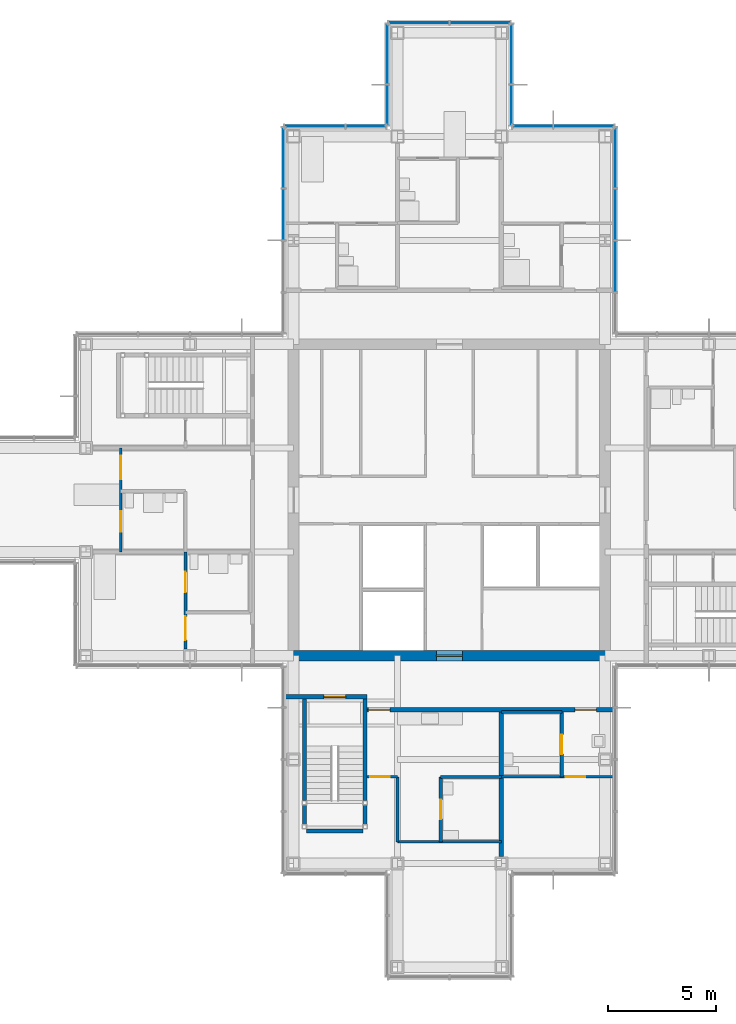
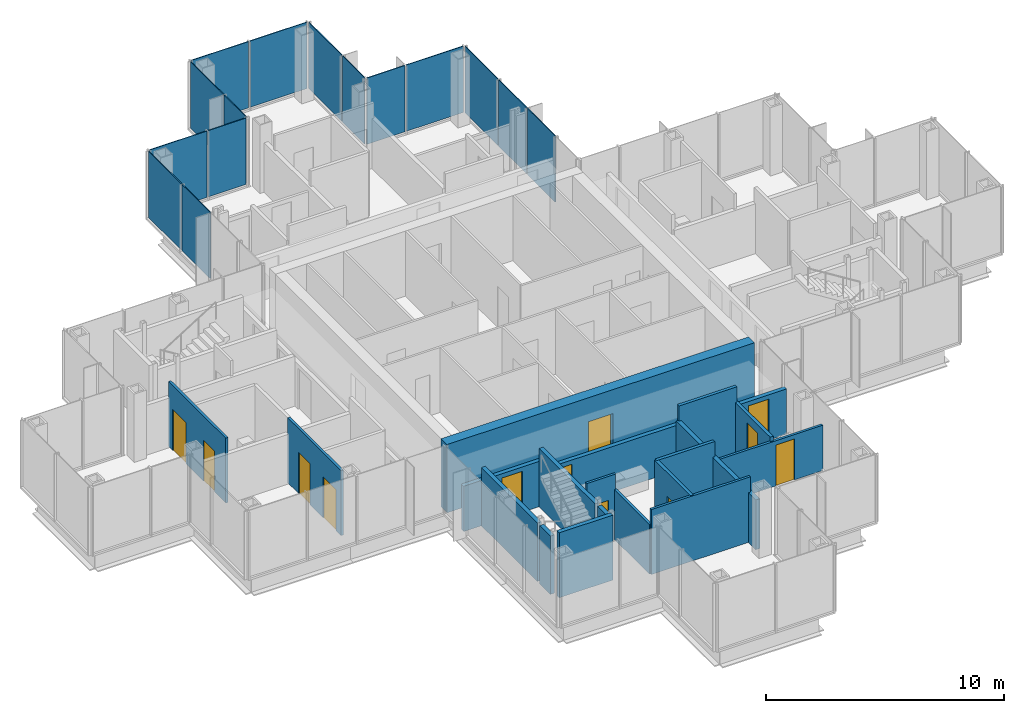
# One storey, part 11 of 17: 19 walls, 15 plates, 12 doors, 12 openings, 7 elements without a shape of their own.
"""IFC4 building model written with IfcOpenShell, lengths in metres."""

from ifc_helpers import new_model, si_unit, direction, frame, frame_2d, origin, origin_2d, place, context, subcontext, project, spatial, rectangle, extrude, material, layer, layer_set, type_object, element, fill, aggregate, save


model = new_model("IFC4")

# Units and contexts
model_context = context("Model", 3, precision=1e-05, world=origin(), true_north=direction((0.0, 1.0)))
body_context = subcontext(model_context, "Body", "Model", "MODEL_VIEW")
ifc_project = project(units=[si_unit("LENGTHUNIT", "METRE"), si_unit("AREAUNIT", "SQUARE_METRE"), si_unit("VOLUMEUNIT", "CUBIC_METRE"), si_unit("PLANEANGLEUNIT", "RADIAN"), si_unit("MASSUNIT", "GRAM", prefix="KILO")], contexts=[model_context])

# Site, building, storey
site_placement = place(None, origin())
site = spatial("IfcSite", under=ifc_project, at=site_placement, CompositionType="ELEMENT")
building_placement = place(site_placement, origin())
building = spatial("IfcBuilding", under=site, at=building_placement, Name="Kvirike Care Tower", CompositionType="ELEMENT")
storey_placement = place(building_placement, frame((0.0, 0.0, 148.0)))
storey = spatial("IfcBuildingStorey", under=building, at=storey_placement, Name="L40", CompositionType="ELEMENT", Elevation=148.0)

# Curtain wall, plates
ifc_material_1 = material(Name="Anodised aluminium stick system", Category="aluminium")
curtain_wall_type = type_object("IfcCurtainWallType", Name="CW-C STICK CURTAIN WALL", PredefinedType="NOTDEFINED", material=ifc_material_1)
curtain_wall_1_placement = place(storey_placement, origin())
curtain_wall_1 = element("IfcCurtainWall", 1, at=curtain_wall_1_placement, inside=storey, type_object=curtain_wall_type, Name="Curtain wall L40 face 8", PredefinedType="NOTDEFINED")
ifc_material_2 = material(Name="Tinted double glazed unit", Category="glass")
ifc_layer_1 = layer(ifc_material_2, 0.0400390625)
ifc_layer_set_1 = layer_set([ifc_layer_1], Name="TINTED VISION PANEL 40")
plate_type = type_object("IfcPlateType", Name="TINTED VISION PANEL 40", PredefinedType="CURTAIN_PANEL", material=ifc_layer_set_1)
plate_1_placement = place(storey_placement, frame((29.27001953125, 46.800048828125, 0.10009765625), z_axis=(0.0, 0.0, 1.0), x_axis=(0.0, 1.0, 0.0)))
plate_1 = element("IfcPlate", 2, at=plate_1_placement, type_object=plate_type, Name="CW-C panel L40 face 8.2", PredefinedType="CURTAIN_PANEL", context=body_context, shape_type="SweptSolid", body=[
    extrude(rectangle(XDim=2.3349609375, YDim=0.0400390625, at=origin_2d()), origin(), (0.0, 0.0, 1.0), 3.39990234375),
])
plate_2_placement = place(storey_placement, frame((29.27001953125, 49.199951171875, 0.10009765625), z_axis=(0.0, 0.0, 1.0), x_axis=(0.0, 1.0, 0.0)))
plate_2 = element("IfcPlate", 3, at=plate_2_placement, type_object=plate_type, Name="CW-C panel L40 face 8.3", PredefinedType="CURTAIN_PANEL", context=body_context, shape_type="SweptSolid", body=[
    extrude(rectangle(XDim=2.3349609375, YDim=0.0400390625, at=origin_2d()), origin(), (0.0, 0.0, 1.0), 3.39990234375),
])
plate_3_placement = place(storey_placement, frame((29.27001953125, 51.81884765625, 0.10009765625), z_axis=(0.0, 0.0, 1.0), x_axis=(0.0, 1.0, 0.0)))
plate_3 = element("IfcPlate", 4, at=plate_3_placement, type_object=plate_type, Name="CW-C panel L40 face 8.4", PredefinedType="CURTAIN_PANEL", context=body_context, shape_type="SweptSolid", body=[
    extrude(rectangle(XDim=2.7724609375, YDim=0.0400390625, at=origin_2d()), origin(), (0.0, 0.0, 1.0), 3.39990234375),
])
aggregate(curtain_wall_1, [plate_1, plate_2, plate_3])

curtain_wall_2_placement = place(storey_placement, origin())
curtain_wall_2 = element("IfcCurtainWall", 5, at=curtain_wall_2_placement, inside=storey, type_object=curtain_wall_type, Name="Curtain wall L40 face 9", PredefinedType="NOTDEFINED")
plate_4_placement = place(storey_placement, frame((27.81884765625, 53.27001953125, 0.10009765625), z_axis=(0.0, 0.0, 1.0), x_axis=(-1.0, 0.0, 0.0)))
plate_4 = element("IfcPlate", 6, at=plate_4_placement, type_object=plate_type, Name="CW-C panel L40 face 9.1", PredefinedType="CURTAIN_PANEL", context=body_context, shape_type="SweptSolid", body=[
    extrude(rectangle(XDim=2.7724609375, YDim=0.0400390625, at=origin_2d()), origin(), (0.0, 0.0, 1.0), 3.39990234375),
])
plate_5_placement = place(storey_placement, frame((25.451171875, 53.27001953125, 0.10009765625), z_axis=(0.0, 0.0, 1.0), x_axis=(-1.0, 0.0, 0.0)))
plate_5 = element("IfcPlate", 7, at=plate_5_placement, type_object=plate_type, Name="CW-C panel L40 face 9.2", PredefinedType="CURTAIN_PANEL", context=body_context, shape_type="SweptSolid", body=[
    extrude(rectangle(XDim=1.83251953125, YDim=0.0400390625, at=origin_2d()), origin(), (0.0, 0.0, 1.0), 3.39990234375),
])
aggregate(curtain_wall_2, [plate_4, plate_5])

curtain_wall_3_placement = place(storey_placement, origin())
curtain_wall_3 = element("IfcCurtainWall", 8, at=curtain_wall_3_placement, inside=storey, type_object=curtain_wall_type, Name="Curtain wall L40 face 10", PredefinedType="NOTDEFINED")
plate_6_placement = place(storey_placement, frame((24.469970703125, 54.251220703125, 0.10009765625), z_axis=(0.0, 0.0, 1.0), x_axis=(0.0, 1.0, 0.0)))
plate_6 = element("IfcPlate", 9, at=plate_6_placement, type_object=plate_type, Name="CW-C panel L40 face 10.1", PredefinedType="CURTAIN_PANEL", context=body_context, shape_type="SweptSolid", body=[
    extrude(rectangle(XDim=1.83251953125, YDim=0.0400390625, at=origin_2d()), origin(), (0.0, 0.0, 1.0), 3.39990234375),
])
plate_7_placement = place(storey_placement, frame((24.469970703125, 56.61865234375, 0.10009765625), z_axis=(0.0, 0.0, 1.0), x_axis=(0.0, 1.0, 0.0)))
plate_7 = element("IfcPlate", 10, at=plate_7_placement, type_object=plate_type, Name="CW-C panel L40 face 10.2", PredefinedType="CURTAIN_PANEL", context=body_context, shape_type="SweptSolid", body=[
    extrude(rectangle(XDim=2.7724609375, YDim=0.0400390625, at=origin_2d()), origin(), (0.0, 0.0, 1.0), 3.39990234375),
])
aggregate(curtain_wall_3, [plate_6, plate_7])

curtain_wall_4_placement = place(storey_placement, origin())
curtain_wall_4 = element("IfcCurtainWall", 11, at=curtain_wall_4_placement, inside=storey, type_object=curtain_wall_type, Name="Curtain wall L40 face 11", PredefinedType="NOTDEFINED")
plate_8_placement = place(storey_placement, frame((23.018798828125, 58.070068359375, 0.10009765625), z_axis=(0.0, 0.0, 1.0), x_axis=(-1.0, 0.0, 0.0)))
plate_8 = element("IfcPlate", 12, at=plate_8_placement, type_object=plate_type, Name="CW-C panel L40 face 11.1", PredefinedType="CURTAIN_PANEL", context=body_context, shape_type="SweptSolid", body=[
    extrude(rectangle(XDim=2.7724609375, YDim=0.0400390625, at=origin_2d()), origin(), (0.0, 0.0, 1.0), 3.39990234375),
])
plate_9_placement = place(storey_placement, frame((20.18115234375, 58.070068359375, 0.10009765625), z_axis=(0.0, 0.0, 1.0), x_axis=(-1.0, 0.0, 0.0)))
plate_9 = element("IfcPlate", 13, at=plate_9_placement, type_object=plate_type, Name="CW-C panel L40 face 11.2", PredefinedType="CURTAIN_PANEL", context=body_context, shape_type="SweptSolid", body=[
    extrude(rectangle(XDim=2.7724609375, YDim=0.0400390625, at=origin_2d()), origin(), (0.0, 0.0, 1.0), 3.39990234375),
])
aggregate(curtain_wall_4, [plate_8, plate_9])

curtain_wall_5_placement = place(storey_placement, origin())
curtain_wall_5 = element("IfcCurtainWall", 14, at=curtain_wall_5_placement, inside=storey, type_object=curtain_wall_type, Name="Curtain wall L40 face 12", PredefinedType="NOTDEFINED")
plate_10_placement = place(storey_placement, frame((18.72998046875, 56.61865234375, 0.10009765625), z_axis=(0.0, 0.0, 1.0), x_axis=(0.0, -1.0, 0.0)))
plate_10 = element("IfcPlate", 15, at=plate_10_placement, type_object=plate_type, Name="CW-C panel L40 face 12.1", PredefinedType="CURTAIN_PANEL", context=body_context, shape_type="SweptSolid", body=[
    extrude(rectangle(XDim=2.7724609375, YDim=0.0400390625, at=origin_2d()), origin(), (0.0, 0.0, 1.0), 3.39990234375),
])
plate_11_placement = place(storey_placement, frame((18.72998046875, 54.251220703125, 0.10009765625), z_axis=(0.0, 0.0, 1.0), x_axis=(0.0, -1.0, 0.0)))
plate_11 = element("IfcPlate", 16, at=plate_11_placement, type_object=plate_type, Name="CW-C panel L40 face 12.2", PredefinedType="CURTAIN_PANEL", context=body_context, shape_type="SweptSolid", body=[
    extrude(rectangle(XDim=1.83251953125, YDim=0.0400390625, at=origin_2d()), origin(), (0.0, 0.0, 1.0), 3.39990234375),
])
aggregate(curtain_wall_5, [plate_10, plate_11])

curtain_wall_6_placement = place(storey_placement, origin())
curtain_wall_6 = element("IfcCurtainWall", 17, at=curtain_wall_6_placement, inside=storey, type_object=curtain_wall_type, Name="Curtain wall L40 face 13", PredefinedType="NOTDEFINED")
plate_12_placement = place(storey_placement, frame((17.748779296875, 53.27001953125, 0.10009765625), z_axis=(0.0, 0.0, 1.0), x_axis=(-1.0, 0.0, 0.0)))
plate_12 = element("IfcPlate", 18, at=plate_12_placement, type_object=plate_type, Name="CW-C panel L40 face 13.1", PredefinedType="CURTAIN_PANEL", context=body_context, shape_type="SweptSolid", body=[
    extrude(rectangle(XDim=1.83251953125, YDim=0.0400390625, at=origin_2d()), origin(), (0.0, 0.0, 1.0), 3.39990234375),
])
plate_13_placement = place(storey_placement, frame((15.38134765625, 53.27001953125, 0.10009765625), z_axis=(0.0, 0.0, 1.0), x_axis=(-1.0, 0.0, 0.0)))
plate_13 = element("IfcPlate", 19, at=plate_13_placement, type_object=plate_type, Name="CW-C panel L40 face 13.2", PredefinedType="CURTAIN_PANEL", context=body_context, shape_type="SweptSolid", body=[
    extrude(rectangle(XDim=2.7724609375, YDim=0.0400390625, at=origin_2d()), origin(), (0.0, 0.0, 1.0), 3.39990234375),
])
aggregate(curtain_wall_6, [plate_12, plate_13])

curtain_wall_7_placement = place(storey_placement, origin())
curtain_wall_7 = element("IfcCurtainWall", 20, at=curtain_wall_7_placement, inside=storey, type_object=curtain_wall_type, Name="Curtain wall L40 face 14", PredefinedType="NOTDEFINED")
plate_14_placement = place(storey_placement, frame((13.929931640625, 51.81884765625, 0.10009765625), z_axis=(0.0, 0.0, 1.0), x_axis=(0.0, -1.0, 0.0)))
plate_14 = element("IfcPlate", 21, at=plate_14_placement, type_object=plate_type, Name="CW-C panel L40 face 14.1", PredefinedType="CURTAIN_PANEL", context=body_context, shape_type="SweptSolid", body=[
    extrude(rectangle(XDim=2.7724609375, YDim=0.0400390625, at=origin_2d()), origin(), (0.0, 0.0, 1.0), 3.39990234375),
])
plate_15_placement = place(storey_placement, frame((13.929931640625, 49.199951171875, 0.10009765625), z_axis=(0.0, 0.0, 1.0), x_axis=(0.0, -1.0, 0.0)))
plate_15 = element("IfcPlate", 22, at=plate_15_placement, type_object=plate_type, Name="CW-C panel L40 face 14.2", PredefinedType="CURTAIN_PANEL", context=body_context, shape_type="SweptSolid", body=[
    extrude(rectangle(XDim=2.3349609375, YDim=0.0400390625, at=origin_2d()), origin(), (0.0, 0.0, 1.0), 3.39990234375),
])
aggregate(curtain_wall_7, [plate_14, plate_15])

# Wall, opening, door
ifc_material_3 = material(Name="Moisture-resistant board partition", Category="gypsum")
ifc_layer_2 = layer(ifc_material_3, 0.14990234375)
ifc_layer_set_2 = layer_set([ifc_layer_2], Name="BATHROOM WALL 150")
wall_type_1 = type_object("IfcWallType", Name="BATHROOM WALL 150", PredefinedType="PARTITIONING", material=ifc_layer_set_2)
wall_1_placement = place(storey_placement, frame((21.199951171875, 20.199951171875, 0.0), z_axis=(0.0, 0.0, 1.0), x_axis=(0.0, 1.0, 0.0)))
wall_1 = element("IfcWall", 23, at=wall_1_placement, inside=storey, type_object=wall_type_1, Name="Bathroom Wall 150 L40", PredefinedType="PARTITIONING", context=body_context, shape_type="SweptSolid", body=[
    extrude(rectangle(XDim=3.0, YDim=0.14990234375, at=frame_2d((1.5, 0.0))), origin(), (0.0, 0.0, 1.0), 3.330078125),
])
opening_1_placement = place(wall_1_placement, frame((1.050048828125, 0.0, 0.0)))
opening_1 = element("IfcOpeningElement", 24, at=opening_1_placement, cuts=wall_1, Name="Opening 40-011", PredefinedType="OPENING", context=body_context, shape_type="SweptSolid", body=[
    extrude(rectangle(XDim=0.89990234375, YDim=2.10009765625, at=frame_2d((0.449951171875, 1.050048828125))), frame((0.0, 0.08544921875, 0.0), z_axis=(0.0, -1.0, 0.0), x_axis=(1.0, 0.0, 0.0)), (0.0, 0.0, 1.0), 0.1708984375),
])
ifc_material_4 = material(Name="Timber door set", Category="wood")
door_type_1 = type_object("IfcDoorType", Name="BATHROOM DOOR 900", OperationType="SINGLE_SWING_RIGHT", PredefinedType="DOOR", material=ifc_material_4)
door_1_placement = place(opening_1_placement, frame((0.89990234375, 0.0, 0.0), z_axis=(0.0, 0.0, 1.0), x_axis=(-1.0, 0.0, 0.0)))
door_1 = element("IfcDoor", 25, at=door_1_placement, inside=storey, type_object=door_type_1, Name="Accessible WC door", OperationType="SINGLE_SWING_RIGHT", OverallHeight=2.10009765625, OverallWidth=0.89990234375, PredefinedType="DOOR", context=body_context, shape_type="SweptSolid", body=[
    extrude(rectangle(XDim=0.89990234375, YDim=2.10009765625, at=frame_2d((0.449951171875, 1.050048828125))), frame((0.0, 0.02197265625, 0.0), z_axis=(0.0, -1.0, 0.0), x_axis=(1.0, 0.0, 0.0)), (0.0, 0.0, 1.0), 0.0439453125),
])
fill(opening_1, door_1)

# Wall
wall_2_placement = place(storey_placement, frame((21.199951171875, 23.199951171875, 0.0), z_axis=(0.0, 0.0, 1.0), x_axis=(1.0, 0.0, 0.0)))
element("IfcWall", 26, at=wall_2_placement, inside=storey, type_object=wall_type_1, Name="Bathroom Wall 150 L40", PredefinedType="PARTITIONING", context=body_context, shape_type="SweptSolid", body=[
    extrude(rectangle(XDim=2.800048828125, YDim=0.14990234375, at=frame_2d((1.39990234375, 0.0))), origin(), (0.0, 0.0, 1.0), 3.330078125),
])

# Wall, opening, door
wall_3_placement = place(storey_placement, frame((26.800048828125, 23.199951171875, 0.0), z_axis=(0.0, 0.0, 1.0), x_axis=(0.0, 1.0, 0.0)))
wall_3 = element("IfcWall", 27, at=wall_3_placement, inside=storey, type_object=wall_type_1, Name="Bathroom Wall 150 L40", PredefinedType="PARTITIONING", context=body_context, shape_type="SweptSolid", body=[
    extrude(rectangle(XDim=3.0, YDim=0.14990234375, at=frame_2d((1.5, 0.0))), origin(), (0.0, 0.0, 1.0), 2.550048828125),
])
opening_2_placement = place(wall_3_placement, frame((1.050048828125, 0.0, 0.0)))
opening_2 = element("IfcOpeningElement", 28, at=opening_2_placement, cuts=wall_3, Name="Opening 40-013", PredefinedType="OPENING", context=body_context, shape_type="SweptSolid", body=[
    extrude(rectangle(XDim=0.89990234375, YDim=2.10009765625, at=frame_2d((0.449951171875, 1.050048828125))), frame((0.0, 0.08544921875, 0.0), z_axis=(0.0, -1.0, 0.0), x_axis=(1.0, 0.0, 0.0)), (0.0, 0.0, 1.0), 0.1708984375),
])
door_2_placement = place(opening_2_placement, frame((0.89990234375, 0.0, 0.0), z_axis=(0.0, 0.0, 1.0), x_axis=(-1.0, 0.0, 0.0)))
door_2 = element("IfcDoor", 29, at=door_2_placement, inside=storey, type_object=door_type_1, Name="Staff WC door", OperationType="SINGLE_SWING_RIGHT", OverallHeight=2.10009765625, OverallWidth=0.89990234375, PredefinedType="DOOR", context=body_context, shape_type="SweptSolid", body=[
    extrude(rectangle(XDim=0.89990234375, YDim=2.10009765625, at=frame_2d((0.449951171875, 1.050048828125))), frame((0.0, 0.02197265625, 0.0), z_axis=(0.0, -1.0, 0.0), x_axis=(1.0, 0.0, 0.0)), (0.0, 0.0, 1.0), 0.0439453125),
])
fill(opening_2, door_2)

# Wall
wall_4_placement = place(storey_placement, frame((24.0, 26.199951171875, 0.0), z_axis=(0.0, 0.0, 1.0), x_axis=(1.0, 0.0, 0.0)))
element("IfcWall", 30, at=wall_4_placement, inside=storey, type_object=wall_type_1, Name="Bathroom Wall 150 L40", PredefinedType="PARTITIONING", context=body_context, shape_type="SweptSolid", body=[
    extrude(rectangle(XDim=2.800048828125, YDim=0.14990234375, at=frame_2d((1.39990234375, 0.0))), origin(), (0.0, 0.0, 1.0), 3.330078125),
])

# Wall, opening, door
ifc_material_5 = material(Name="Concrete C45/55", Category="concrete")
ifc_layer_3 = layer(ifc_material_5, 0.5)
ifc_layer_set_3 = layer_set([ifc_layer_3], Name="CORE WALL 500 C45-55")
wall_type_2 = type_object("IfcWallType", Name="CORE WALL 500 C45-55", PredefinedType="SHEAR", material=ifc_layer_set_3)
wall_5_placement = place(storey_placement, frame((14.14990234375, 28.800048828125, -0.169921875), z_axis=(0.0, 0.0, 1.0), x_axis=(1.0, 0.0, 0.0)))
wall_5 = element("IfcWall", 31, at=wall_5_placement, inside=storey, type_object=wall_type_2, Name="Core wall S L40", PredefinedType="SHEAR", context=body_context, shape_type="SweptSolid", body=[
    extrude(rectangle(XDim=14.900146484375, YDim=0.5, at=frame_2d((7.4501953125, 0.0))), origin(), (0.0, 0.0, 1.0), 3.5),
])
opening_3_placement = place(wall_5_placement, frame((6.85009765625, 0.0, 0.169921875)))
opening_3 = element("IfcOpeningElement", 32, at=opening_3_placement, cuts=wall_5, Name="Opening 40-048", PredefinedType="OPENING", context=body_context, shape_type="SweptSolid", body=[
    extrude(rectangle(XDim=1.199951171875, YDim=2.10009765625, at=frame_2d((0.60009765625, 1.050048828125))), frame((0.0, 0.260498046875, 0.0), z_axis=(0.0, -1.0, 0.0), x_axis=(1.0, 0.0, 0.0)), (0.0, 0.0, 1.0), 0.52099609375),
])
ifc_material_6 = material(Name="Timber door set", Category="wood")
door_type_2 = type_object("IfcDoorType", Name="CORE DOOR 1200", OperationType="SINGLE_SWING_LEFT", PredefinedType="DOOR", material=ifc_material_6)
door_3_placement = place(opening_3_placement, origin())
door_3 = element("IfcDoor", 33, at=door_3_placement, inside=storey, type_object=door_type_2, Name="Core door S L40", OperationType="SINGLE_SWING_LEFT", OverallHeight=2.10009765625, OverallWidth=1.199951171875, PredefinedType="DOOR", context=body_context, shape_type="SweptSolid", body=[
    extrude(rectangle(XDim=1.199951171875, YDim=2.10009765625, at=frame_2d((0.60009765625, 1.050048828125))), frame((0.0, 0.02685546875, 0.0), z_axis=(0.0, -1.0, 0.0), x_axis=(1.0, 0.0, 0.0)), (0.0, 0.0, 1.0), 0.053955078125),
])
fill(opening_3, door_3)

# Wall, openings, doors
ifc_material_7 = material(Name="Plasterboard corridor wall", Category="gypsum")
ifc_layer_4 = layer(ifc_material_7, 0.199951171875)
ifc_layer_set_4 = layer_set([ifc_layer_4], Name="CORRIDOR WALL 200")
wall_type_3 = type_object("IfcWallType", Name="CORRIDOR WALL 200", PredefinedType="PARTITIONING", material=ifc_layer_set_4)
wall_6_placement = place(storey_placement, frame((17.800048828125, 26.300048828125, 0.0), z_axis=(0.0, 0.0, 1.0), x_axis=(1.0, 0.0, 0.0)))
wall_6 = element("IfcWall", 34, at=wall_6_placement, inside=storey, type_object=wall_type_3, Name="Corridor Wall 200 L40", PredefinedType="PARTITIONING", context=body_context, shape_type="SweptSolid", body=[
    extrude(rectangle(XDim=11.449951171875, YDim=0.199951171875, at=frame_2d((5.72509765625, 0.0))), origin(), (0.0, 0.0, 1.0), 2.320068359375),
])
opening_4_placement = place(wall_6_placement, frame((0.06005859375, 0.0, 0.0)))
opening_4 = element("IfcOpeningElement", 35, at=opening_4_placement, cuts=wall_6, Name="Opening 40-015", PredefinedType="OPENING", context=body_context, shape_type="SweptSolid", body=[
    extrude(rectangle(XDim=1.0, YDim=2.10009765625, at=frame_2d((0.5, 1.050048828125))), frame((0.0, 0.110595703125, 0.0), z_axis=(0.0, -1.0, 0.0), x_axis=(1.0, 0.0, 0.0)), (0.0, 0.0, 1.0), 0.220947265625),
])
opening_5_placement = place(wall_6_placement, frame((9.60009765625, 0.0, 0.0)))
opening_5 = element("IfcOpeningElement", 36, at=opening_5_placement, cuts=wall_6, Name="Opening 40-016", PredefinedType="OPENING", context=body_context, shape_type="SweptSolid", body=[
    extrude(rectangle(XDim=1.0, YDim=2.10009765625, at=frame_2d((0.5, 1.050048828125))), frame((0.0, 0.110595703125, 0.0), z_axis=(0.0, -1.0, 0.0), x_axis=(1.0, 0.0, 0.0)), (0.0, 0.0, 1.0), 0.220947265625),
])
ifc_material_8 = material(Name="Timber door set", Category="wood")
door_type_3 = type_object("IfcDoorType", Name="FLAT ENTRANCE DOOR 1000", OperationType="SINGLE_SWING_LEFT", PredefinedType="DOOR", material=ifc_material_8)
door_4_placement = place(opening_4_placement, frame((1.0, 0.0, 0.0), z_axis=(0.0, 0.0, 1.0), x_axis=(-1.0, 0.0, 0.0)))
door_4 = element("IfcDoor", 37, at=door_4_placement, inside=storey, type_object=door_type_3, Name="Household lounge entrance", OperationType="SINGLE_SWING_LEFT", OverallHeight=2.10009765625, OverallWidth=1.0, PredefinedType="DOOR", context=body_context, shape_type="SweptSolid", body=[
    extrude(rectangle(XDim=1.0, YDim=2.10009765625, at=frame_2d((0.5, 1.050048828125))), frame((0.0, 0.02685546875, 0.0), z_axis=(0.0, -1.0, 0.0), x_axis=(1.0, 0.0, 0.0)), (0.0, 0.0, 1.0), 0.053955078125),
])
fill(opening_4, door_4)
door_5_placement = place(opening_5_placement, frame((1.0, 0.0, 0.0), z_axis=(0.0, 0.0, 1.0), x_axis=(-1.0, 0.0, 0.0)))
door_5 = element("IfcDoor", 38, at=door_5_placement, inside=storey, type_object=door_type_3, Name="Household dining entrance", OperationType="SINGLE_SWING_RIGHT", OverallHeight=2.10009765625, OverallWidth=1.0, PredefinedType="DOOR", context=body_context, shape_type="SweptSolid", body=[
    extrude(rectangle(XDim=1.0, YDim=2.10009765625, at=frame_2d((0.5, 1.050048828125))), frame((0.0, 0.02685546875, 0.0), z_axis=(0.0, -1.0, 0.0), x_axis=(1.0, 0.0, 0.0)), (0.0, 0.0, 1.0), 0.053955078125),
])
fill(opening_5, door_5)

ifc_material_9 = material(Name="Plasterboard partition", Category="gypsum")
ifc_layer_5 = layer(ifc_material_9, 0.1201171875)
ifc_layer_set_5 = layer_set([ifc_layer_5], Name="PARTITION 120")
wall_type_4 = type_object("IfcWallType", Name="PARTITION 120", PredefinedType="PARTITIONING", material=ifc_layer_set_5)
wall_7_placement = place(storey_placement, frame((6.39990234375, 38.39990234375, 0.0), z_axis=(0.0, 0.0, 1.0), x_axis=(0.0, -1.0, 0.0)))
wall_7 = element("IfcWall", 39, at=wall_7_placement, inside=storey, type_object=wall_type_4, Name="Partition 120 L40", PredefinedType="PARTITIONING", context=body_context, shape_type="SweptSolid", body=[
    extrude(rectangle(XDim=4.7998046875, YDim=0.1201171875, at=frame_2d((2.39990234375, 0.0))), origin(), (0.0, 0.0, 1.0), 3.330078125),
])
opening_6_placement = place(wall_7_placement, frame((0.35009765625, 0.0, 0.0)))
opening_6 = element("IfcOpeningElement", 40, at=opening_6_placement, cuts=wall_7, Name="Opening 40-002", PredefinedType="OPENING", context=body_context, shape_type="SweptSolid", body=[
    extrude(rectangle(XDim=1.10009765625, YDim=2.10009765625, at=frame_2d((0.550048828125, 1.050048828125))), frame((0.0, 0.070556640625, 0.0), z_axis=(0.0, -1.0, 0.0), x_axis=(1.0, 0.0, 0.0)), (0.0, 0.0, 1.0), 0.14111328125),
])
opening_7_placement = place(wall_7_placement, frame((2.925048828125, 0.0, 0.0)))
opening_7 = element("IfcOpeningElement", 41, at=opening_7_placement, cuts=wall_7, Name="Opening 40-003", PredefinedType="OPENING", context=body_context, shape_type="SweptSolid", body=[
    extrude(rectangle(XDim=0.949951171875, YDim=2.10009765625, at=frame_2d((0.47509765625, 1.050048828125))), frame((0.0, 0.070556640625, 0.0), z_axis=(0.0, -1.0, 0.0), x_axis=(1.0, 0.0, 0.0)), (0.0, 0.0, 1.0), 0.14111328125),
])
ifc_material_10 = material(Name="Timber door set", Category="wood")
door_type_4 = type_object("IfcDoorType", Name="BEDROOM DOOR 1100", OperationType="SINGLE_SWING_LEFT", PredefinedType="DOOR", material=ifc_material_10)
door_6_placement = place(opening_6_placement, origin())
door_6 = element("IfcDoor", 42, at=door_6_placement, inside=storey, type_object=door_type_4, Name="Memory care bedroom door", OperationType="SINGLE_SWING_RIGHT", OverallHeight=2.10009765625, OverallWidth=1.10009765625, PredefinedType="DOOR", context=body_context, shape_type="SweptSolid", body=[
    extrude(rectangle(XDim=1.10009765625, YDim=2.10009765625, at=frame_2d((0.550048828125, 1.050048828125))), frame((0.0, 0.02197265625, 0.0), z_axis=(0.0, -1.0, 0.0), x_axis=(1.0, 0.0, 0.0)), (0.0, 0.0, 1.0), 0.0439453125),
])
fill(opening_6, door_6)
ifc_material_11 = material(Name="Timber door set", Category="wood")
door_type_5 = type_object("IfcDoorType", Name="EN-SUITE SLIDING DOOR 950", OperationType="SLIDING_TO_LEFT", PredefinedType="DOOR", material=ifc_material_11)
door_7_placement = place(opening_7_placement, origin())
door_7 = element("IfcDoor", 43, at=door_7_placement, inside=storey, type_object=door_type_5, Name="En-suite door", OperationType="SLIDING_TO_LEFT", OverallHeight=2.10009765625, OverallWidth=0.949951171875, PredefinedType="DOOR", context=body_context, shape_type="SweptSolid", body=[
    extrude(rectangle(XDim=0.949951171875, YDim=2.10009765625, at=frame_2d((0.47509765625, 1.050048828125))), frame((0.0, 0.02197265625, 0.0), z_axis=(0.0, -1.0, 0.0), x_axis=(1.0, 0.0, 0.0)), (0.0, 0.0, 1.0), 0.0439453125),
])
fill(opening_7, door_7)

wall_8_placement = place(storey_placement, frame((9.39990234375, 33.60009765625, 0.0), z_axis=(0.0, 0.0, 1.0), x_axis=(0.0, -1.0, 0.0)))
wall_8 = element("IfcWall", 44, at=wall_8_placement, inside=storey, type_object=wall_type_4, Name="Partition 120 L40", PredefinedType="PARTITIONING", context=body_context, shape_type="SweptSolid", body=[
    extrude(rectangle(XDim=4.47998046875, YDim=0.1201171875, at=frame_2d((2.239990234375, 0.0))), origin(), (0.0, 0.0, 1.0), 3.330078125),
])
opening_8_placement = place(wall_8_placement, frame((2.97509765625, 0.0, 0.0)))
opening_8 = element("IfcOpeningElement", 45, at=opening_8_placement, cuts=wall_8, Name="Opening 40-004", PredefinedType="OPENING", context=body_context, shape_type="SweptSolid", body=[
    extrude(rectangle(XDim=1.10009765625, YDim=2.10009765625, at=frame_2d((0.550048828125, 1.050048828125))), frame((0.0, 0.070556640625, 0.0), z_axis=(0.0, -1.0, 0.0), x_axis=(1.0, 0.0, 0.0)), (0.0, 0.0, 1.0), 0.14111328125),
])
opening_9_placement = place(wall_8_placement, frame((0.925048828125, 0.0, 0.0)))
opening_9 = element("IfcOpeningElement", 46, at=opening_9_placement, cuts=wall_8, Name="Opening 40-005", PredefinedType="OPENING", context=body_context, shape_type="SweptSolid", body=[
    extrude(rectangle(XDim=0.949951171875, YDim=2.10009765625, at=frame_2d((0.47509765625, 1.050048828125))), frame((0.0, 0.070556640625, 0.0), z_axis=(0.0, -1.0, 0.0), x_axis=(1.0, 0.0, 0.0)), (0.0, 0.0, 1.0), 0.14111328125),
])
door_8_placement = place(opening_8_placement, origin())
door_8 = element("IfcDoor", 47, at=door_8_placement, inside=storey, type_object=door_type_4, Name="Memory care bedroom door", OperationType="SINGLE_SWING_RIGHT", OverallHeight=2.10009765625, OverallWidth=1.10009765625, PredefinedType="DOOR", context=body_context, shape_type="SweptSolid", body=[
    extrude(rectangle(XDim=1.10009765625, YDim=2.10009765625, at=frame_2d((0.550048828125, 1.050048828125))), frame((0.0, 0.02197265625, 0.0), z_axis=(0.0, -1.0, 0.0), x_axis=(1.0, 0.0, 0.0)), (0.0, 0.0, 1.0), 0.0439453125),
])
fill(opening_8, door_8)
door_9_placement = place(opening_9_placement, origin())
door_9 = element("IfcDoor", 48, at=door_9_placement, inside=storey, type_object=door_type_5, Name="En-suite door", OperationType="SLIDING_TO_LEFT", OverallHeight=2.10009765625, OverallWidth=0.949951171875, PredefinedType="DOOR", context=body_context, shape_type="SweptSolid", body=[
    extrude(rectangle(XDim=0.949951171875, YDim=2.10009765625, at=frame_2d((0.47509765625, 1.050048828125))), frame((0.0, 0.02197265625, 0.0), z_axis=(0.0, -1.0, 0.0), x_axis=(1.0, 0.0, 0.0)), (0.0, 0.0, 1.0), 0.0439453125),
])
fill(opening_9, door_9)

# Wall, opening, door
wall_9_placement = place(storey_placement, frame((17.800048828125, 23.199951171875, 0.0), z_axis=(0.0, 0.0, 1.0), x_axis=(1.0, 0.0, 0.0)))
wall_9 = element("IfcWall", 49, at=wall_9_placement, inside=storey, type_object=wall_type_4, Name="Partition 120 L40", PredefinedType="PARTITIONING", context=body_context, shape_type="SweptSolid", body=[
    extrude(rectangle(XDim=1.39990234375, YDim=0.1201171875, at=frame_2d((0.699951171875, 0.0))), origin(), (0.0, 0.0, 1.0), 3.330078125),
])
opening_10_placement = place(wall_9_placement, frame((0.14990234375, 0.0, 0.0)))
opening_10 = element("IfcOpeningElement", 50, at=opening_10_placement, cuts=wall_9, Name="Opening 40-012", PredefinedType="OPENING", context=body_context, shape_type="SweptSolid", body=[
    extrude(rectangle(XDim=0.89990234375, YDim=2.10009765625, at=frame_2d((0.449951171875, 1.050048828125))), frame((0.0, 0.070556640625, 0.0), z_axis=(0.0, -1.0, 0.0), x_axis=(1.0, 0.0, 0.0)), (0.0, 0.0, 1.0), 0.14111328125),
])
ifc_material_12 = material(Name="Timber door set", Category="wood")
door_type_6 = type_object("IfcDoorType", Name="INTERNAL DOOR 900", OperationType="SINGLE_SWING_LEFT", PredefinedType="DOOR", material=ifc_material_12)
door_10_placement = place(opening_10_placement, origin())
door_10 = element("IfcDoor", 51, at=door_10_placement, inside=storey, type_object=door_type_6, Name="Household lounge door", OperationType="SINGLE_SWING_RIGHT", OverallHeight=2.10009765625, OverallWidth=0.89990234375, PredefinedType="DOOR", context=body_context, shape_type="SweptSolid", body=[
    extrude(rectangle(XDim=0.89990234375, YDim=2.10009765625, at=frame_2d((0.449951171875, 1.050048828125))), frame((0.0, 0.02197265625, 0.0), z_axis=(0.0, -1.0, 0.0), x_axis=(1.0, 0.0, 0.0)), (0.0, 0.0, 1.0), 0.0439453125),
])
fill(opening_10, door_10)

# Walls
wall_10_placement = place(storey_placement, frame((19.199951171875, 20.199951171875, 0.0), z_axis=(0.0, 0.0, 1.0), x_axis=(1.0, 0.0, 0.0)))
element("IfcWall", 52, at=wall_10_placement, inside=storey, type_object=wall_type_4, Name="Partition 120 L40", PredefinedType="PARTITIONING", context=body_context, shape_type="SweptSolid", body=[
    extrude(rectangle(XDim=4.800048828125, YDim=0.1201171875, at=frame_2d((2.39990234375, 0.0))), origin(), (0.0, 0.0, 1.0), 3.330078125),
])
wall_11_placement = place(storey_placement, frame((19.199951171875, 20.199951171875, 0.0), z_axis=(0.0, 0.0, 1.0), x_axis=(0.0, 1.0, 0.0)))
element("IfcWall", 53, at=wall_11_placement, inside=storey, type_object=wall_type_4, Name="Partition 120 L40", PredefinedType="PARTITIONING", context=body_context, shape_type="SweptSolid", body=[
    extrude(rectangle(XDim=3.0, YDim=0.1201171875, at=frame_2d((1.5, 0.0))), origin(), (0.0, 0.0, 1.0), 2.550048828125),
])

# Wall, opening, door
wall_12_placement = place(storey_placement, frame((24.0, 23.199951171875, 0.0), z_axis=(0.0, 0.0, 1.0), x_axis=(1.0, 0.0, 0.0)))
wall_12 = element("IfcWall", 54, at=wall_12_placement, inside=storey, type_object=wall_type_4, Name="Partition 120 L40", PredefinedType="PARTITIONING", context=body_context, shape_type="SweptSolid", body=[
    extrude(rectangle(XDim=5.25, YDim=0.1201171875, at=frame_2d((2.625, 0.0))), origin(), (0.0, 0.0, 1.0), 2.320068359375),
])
opening_11_placement = place(wall_12_placement, frame((2.97509765625, 0.0, 0.0)))
opening_11 = element("IfcOpeningElement", 55, at=opening_11_placement, cuts=wall_12, Name="Opening 40-014", PredefinedType="OPENING", context=body_context, shape_type="SweptSolid", body=[
    extrude(rectangle(XDim=0.89990234375, YDim=2.10009765625, at=frame_2d((0.449951171875, 1.050048828125))), frame((0.0, 0.070556640625, 0.0), z_axis=(0.0, -1.0, 0.0), x_axis=(1.0, 0.0, 0.0)), (0.0, 0.0, 1.0), 0.14111328125),
])
door_11_placement = place(opening_11_placement, origin())
door_11 = element("IfcDoor", 56, at=door_11_placement, inside=storey, type_object=door_type_6, Name="Household dining room door", OperationType="SINGLE_SWING_RIGHT", OverallHeight=2.10009765625, OverallWidth=0.89990234375, PredefinedType="DOOR", context=body_context, shape_type="SweptSolid", body=[
    extrude(rectangle(XDim=0.89990234375, YDim=2.10009765625, at=frame_2d((0.449951171875, 1.050048828125))), frame((0.0, 0.02197265625, 0.0), z_axis=(0.0, -1.0, 0.0), x_axis=(1.0, 0.0, 0.0)), (0.0, 0.0, 1.0), 0.0439453125),
])
fill(opening_11, door_11)

# Walls
ifc_material_13 = material(Name="Plasterboard party wall", Category="gypsum")
ifc_layer_6 = layer(ifc_material_13, 0.199951171875)
ifc_layer_set_6 = layer_set([ifc_layer_6], Name="PARTY WALL 200")
wall_type_5 = type_object("IfcWallType", Name="PARTY WALL 200", PredefinedType="PARTITIONING", material=ifc_layer_set_6)
wall_13_placement = place(storey_placement, frame((24.0, 19.52001953125, 0.0), z_axis=(0.0, 0.0, 1.0), x_axis=(0.0, 1.0, 0.0)))
element("IfcWall", 57, at=wall_13_placement, inside=storey, type_object=wall_type_5, Name="Party Wall 200 L40", PredefinedType="PARTITIONING", context=body_context, shape_type="SweptSolid", body=[
    extrude(rectangle(XDim=6.679931640625, YDim=0.199951171875, at=frame_2d((3.33984375, 0.0))), origin(), (0.0, 0.0, 1.0), 2.550048828125),
])
ifc_material_14 = material(Name="Concrete C40/50", Category="concrete")
ifc_layer_7 = layer(ifc_material_14, 0.199951171875)
ifc_layer_set_7 = layer_set([ifc_layer_7], Name="STAIR WALL 200")
wall_type_6 = type_object("IfcWallType", Name="STAIR WALL 200", PredefinedType="SOLIDWALL", material=ifc_layer_set_7)
wall_14_placement = place(storey_placement, frame((14.89990234375, 21.0, 0.0), z_axis=(0.0, 0.0, 1.0), x_axis=(0.0, 1.0, 0.0)))
element("IfcWall", 58, at=wall_14_placement, inside=storey, type_object=wall_type_6, Name="Stair Wall 200 L40", PredefinedType="SOLIDWALL", context=body_context, shape_type="SweptSolid", body=[
    extrude(rectangle(XDim=0.89990234375, YDim=0.199951171875, at=frame_2d((0.449951171875, 0.0))), origin(), (0.0, 0.0, 1.0), 2.989990234375),
])
wall_15_placement = place(storey_placement, frame((14.89990234375, 22.10009765625, 0.0), z_axis=(0.0, 0.0, 1.0), x_axis=(0.0, 1.0, 0.0)))
element("IfcWall", 59, at=wall_15_placement, inside=storey, type_object=wall_type_6, Name="Stair Wall 200 L40", PredefinedType="SOLIDWALL", context=body_context, shape_type="SweptSolid", body=[
    extrude(rectangle(XDim=4.699951171875, YDim=0.199951171875, at=frame_2d((2.35009765625, 0.0))), origin(), (0.0, 0.0, 1.0), 2.989990234375),
])
wall_16_placement = place(storey_placement, frame((17.699951171875, 21.0, 0.0), z_axis=(0.0, 0.0, 1.0), x_axis=(0.0, 1.0, 0.0)))
element("IfcWall", 60, at=wall_16_placement, inside=storey, type_object=wall_type_6, Name="Stair Wall 200 L40", PredefinedType="SOLIDWALL", context=body_context, shape_type="SweptSolid", body=[
    extrude(rectangle(XDim=0.89990234375, YDim=0.199951171875, at=frame_2d((0.449951171875, 0.0))), origin(), (0.0, 0.0, 1.0), 2.989990234375),
])
wall_17_placement = place(storey_placement, frame((17.699951171875, 22.10009765625, 0.0), z_axis=(0.0, 0.0, 1.0), x_axis=(0.0, 1.0, 0.0)))
element("IfcWall", 61, at=wall_17_placement, inside=storey, type_object=wall_type_6, Name="Stair Wall 200 L40", PredefinedType="SOLIDWALL", context=body_context, shape_type="SweptSolid", body=[
    extrude(rectangle(XDim=4.699951171875, YDim=0.199951171875, at=frame_2d((2.35009765625, 0.0))), origin(), (0.0, 0.0, 1.0), 2.989990234375),
])
wall_18_placement = place(storey_placement, frame((15.0, 20.699951171875, 0.0), z_axis=(0.0, 0.0, 1.0), x_axis=(1.0, 0.0, 0.0)))
element("IfcWall", 62, at=wall_18_placement, inside=storey, type_object=wall_type_6, Name="Stair Wall 200 L40", PredefinedType="SOLIDWALL", context=body_context, shape_type="SweptSolid", body=[
    extrude(rectangle(XDim=2.60009765625, YDim=0.199951171875, at=frame_2d((1.300048828125, 0.0))), origin(), (0.0, 0.0, 1.0), 3.330078125),
])

# Wall, opening, door
wall_19_placement = place(storey_placement, frame((13.949951171875, 26.89990234375, 0.0), z_axis=(0.0, 0.0, 1.0), x_axis=(1.0, 0.0, 0.0)))
wall_19 = element("IfcWall", 63, at=wall_19_placement, inside=storey, type_object=wall_type_6, Name="Stair Wall 200 L40", PredefinedType="SOLIDWALL", context=body_context, shape_type="SweptSolid", body=[
    extrude(rectangle(XDim=3.85009765625, YDim=0.199951171875, at=frame_2d((1.925048828125, 0.0))), origin(), (0.0, 0.0, 1.0), 2.320068359375),
])
opening_12_placement = place(wall_19_placement, frame((1.85009765625, 0.0, 0.0)))
opening_12 = element("IfcOpeningElement", 64, at=opening_12_placement, cuts=wall_19, Name="Opening 40-010", PredefinedType="OPENING", context=body_context, shape_type="SweptSolid", body=[
    extrude(rectangle(XDim=1.0, YDim=2.10009765625, at=frame_2d((0.5, 1.050048828125))), frame((0.0, 0.110595703125, 0.0), z_axis=(0.0, -1.0, 0.0), x_axis=(1.0, 0.0, 0.0)), (0.0, 0.0, 1.0), 0.220947265625),
])
ifc_material_15 = material(Name="Timber door set", Category="wood")
door_type_7 = type_object("IfcDoorType", Name="STAIR DOOR 1000", OperationType="SINGLE_SWING_LEFT", PredefinedType="DOOR", material=ifc_material_15)
door_12_placement = place(opening_12_placement, frame((1.0, 0.0, 0.0), z_axis=(0.0, 0.0, 1.0), x_axis=(-1.0, 0.0, 0.0)))
door_12 = element("IfcDoor", 65, at=door_12_placement, inside=storey, type_object=door_type_7, Name="Stair 5 door", OperationType="SINGLE_SWING_LEFT", OverallHeight=2.10009765625, OverallWidth=1.0, PredefinedType="DOOR", context=body_context, shape_type="SweptSolid", body=[
    extrude(rectangle(XDim=1.0, YDim=2.10009765625, at=frame_2d((0.5, 1.050048828125))), frame((0.0, 0.031982421875, 0.0), z_axis=(0.0, -1.0, 0.0), x_axis=(1.0, 0.0, 0.0)), (0.0, 0.0, 1.0), 0.06396484375),
])
fill(opening_12, door_12)

save(model, "model.ifc")
